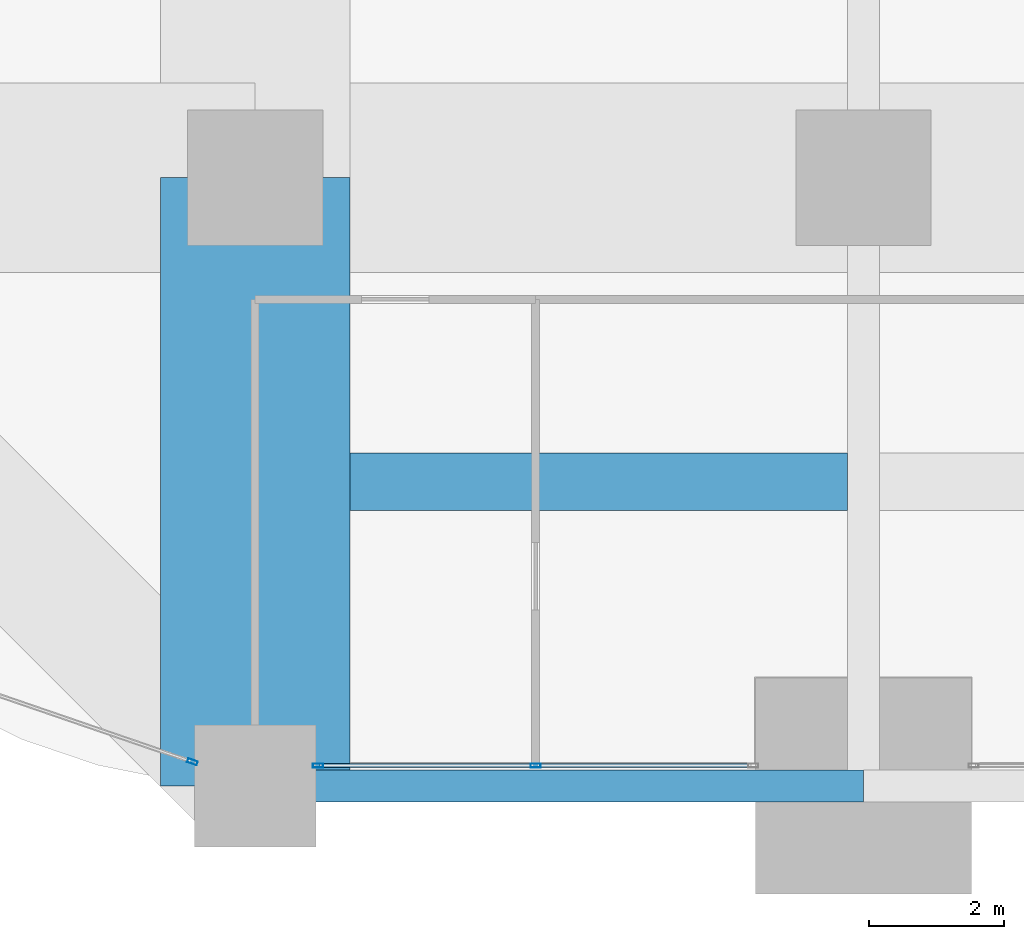
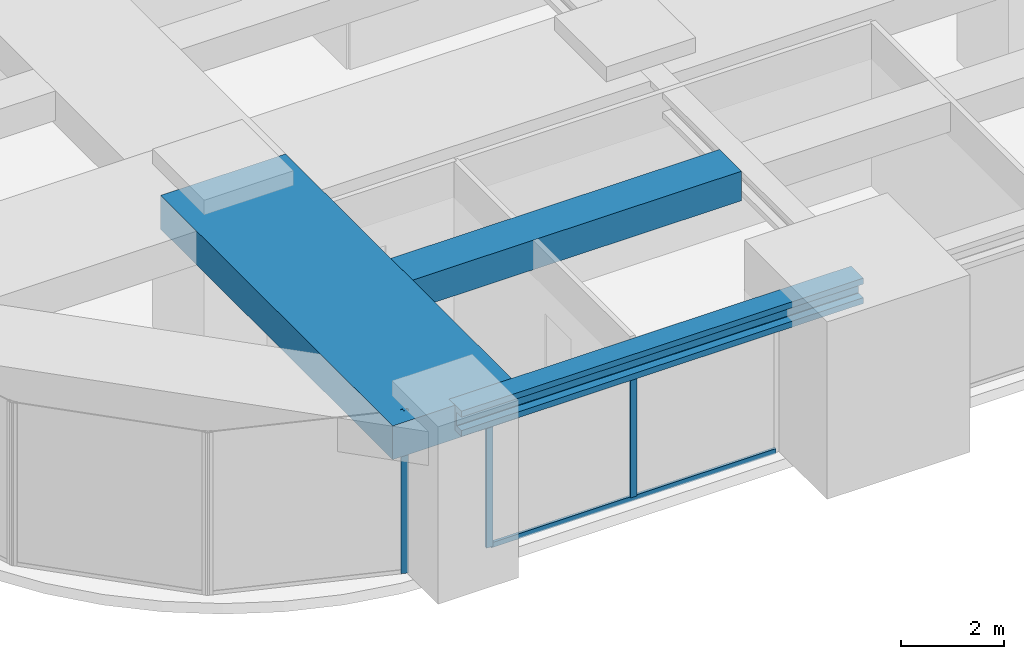
# One storey, part 4 of 45: 4 members, 3 beams, 2 elements without a shape of their own.
"""IFC4 building model written with IfcOpenShell, lengths in metres."""

import ifcopenshell
import ifcopenshell.guid

model = None  # the IFC model being written
_history = None  # IfcOwnerHistory: only IFC2X3 demands one
_inside = {}  # id of a spatial element -> (the spatial element, [elements in it])
_under = {}  # id of a project, library or spatial element -> (it, [spatial elements below it])
_declared = {}  # id of a project -> (the project, [libraries it declares])
_typed = {}  # id of a type object -> (the type object, [elements of that type])
_made_of = {}  # id of a material, layer set ... -> (it, [elements and type objects made of it])


def new_model(schema):
    """Start an empty IFC model of exactly this schema.

    Asked for "IFC4X3", IfcOpenShell would pick the latest addendum, in which some entities
    have other attributes; the version numbers below select the first issue.
    IFC2X3 requires an IfcOwnerHistory on every rooted entity: one is made here for all.
    """
    global model, _history
    if schema == "IFC4X3":
        model = ifcopenshell.file(schema_version=(4, 3, 0, 0))
    else:
        model = ifcopenshell.file(schema=schema)
    _inside.clear()
    _under.clear()
    _declared.clear()
    _typed.clear()
    _made_of.clear()
    _history = None
    if model.schema == "IFC2X3":
        org = make("IfcOrganization", Name="unknown")
        user = make(
            "IfcPersonAndOrganization",
            ThePerson=make("IfcPerson", FamilyName="unknown"),
            TheOrganization=org,
        )
        app = make(
            "IfcApplication",
            ApplicationDeveloper=org,
            Version="unknown",
            ApplicationFullName="unknown",
            ApplicationIdentifier="unknown",
        )
        _history = make(
            "IfcOwnerHistory",
            OwningUser=user,
            OwningApplication=app,
            ChangeAction="ADDED",
            CreationDate=0,
        )
    return model


def make(cls, **values):
    """One entity of the class cls with the attributes given. An attribute that is None is left unset."""
    return model.create_entity(
        cls, **{name: value for name, value in values.items() if value is not None}
    )


def rooted(cls, **values):
    """An entity with a GlobalId (a new one), such as an element, a storey or a relation."""
    return make(cls, GlobalId=ifcopenshell.guid.new(), OwnerHistory=_history, **values)


def si_unit(unit_type, name, prefix=None):
    """IfcSIUnit, for example si_unit("LENGTHUNIT", "METRE", prefix="MILLI")."""
    return make("IfcSIUnit", UnitType=unit_type, Prefix=prefix, Name=name)


def assignment(units):
    """IfcUnitAssignment: the units of a project."""
    return None if units is None else make("IfcUnitAssignment", Units=units)


def point(xyz):
    """IfcCartesianPoint."""
    return None if xyz is None else make("IfcCartesianPoint", Coordinates=xyz)


def direction(xyz):
    """IfcDirection."""
    return None if xyz is None else make("IfcDirection", DirectionRatios=xyz)


def frame(location, z_axis=None, x_axis=None):
    """IfcAxis2Placement3D, a coordinate frame: its origin and axes. An axis left out is left unset."""
    return make(
        "IfcAxis2Placement3D",
        Location=point(location),
        Axis=direction(z_axis),
        RefDirection=direction(x_axis),
    )


def frame_2d(location, x_axis=None):
    """IfcAxis2Placement2D, a coordinate frame in the plane: its origin and x axis."""
    return make(
        "IfcAxis2Placement2D", Location=point(location), RefDirection=direction(x_axis)
    )


def origin():
    """The frame at (0, 0, 0) with its axes left unset."""
    return frame((0.0, 0.0, 0.0))


def origin_2d():
    """The frame at (0, 0) in the plane with its x axis left unset."""
    return frame_2d((0.0, 0.0))


def place(relative_to, where):
    """IfcLocalPlacement: puts the frame where relative to a parent placement (None: the world)."""
    return make(
        "IfcLocalPlacement", PlacementRelTo=relative_to, RelativePlacement=where
    )


def context(
    kind, dimensions, precision=None, world=None, true_north=None, identifier=None
):
    """IfcGeometricRepresentationContext, for example the 3D "Model" context."""
    return make(
        "IfcGeometricRepresentationContext",
        ContextIdentifier=identifier,
        ContextType=kind,
        CoordinateSpaceDimension=dimensions,
        Precision=precision,
        WorldCoordinateSystem=world,
        TrueNorth=true_north,
    )


def subcontext(parent, identifier, kind, view, scale=None):
    """IfcGeometricRepresentationSubContext, for example "Body" below "Model"."""
    return make(
        "IfcGeometricRepresentationSubContext",
        ContextIdentifier=identifier,
        ContextType=kind,
        ParentContext=parent,
        TargetScale=scale,
        TargetView=view,
    )


def project(units=None, contexts=None):
    """IfcProject with its units and contexts."""
    return rooted(
        "IfcProject",
        Name="project",
        RepresentationContexts=contexts,
        UnitsInContext=assignment(units),
    )


def spatial(cls, under=None, at=None, **own):
    """A site, building, storey or space (cls), placed at a placement, below another one or the project."""
    s = rooted(cls, ObjectPlacement=at, **own)
    if under is not None:
        _under.setdefault(under.id(), (under, []))[1].append(s)
    return s


def profile(cls, at=None, kind="AREA", **sizes):
    """A parametric profile (cls). Its sizes go by their IFC names, for example OverallWidth=200.0."""
    return make(cls, ProfileType=kind, Position=at, **sizes)


def rectangle(**sizes):
    """IfcRectangleProfileDef."""
    return profile("IfcRectangleProfileDef", **sizes)


def hollow_rectangle(**sizes):
    """IfcRectangleHollowProfileDef."""
    return profile("IfcRectangleHollowProfileDef", **sizes)


def i_section(**sizes):
    """IfcIShapeProfileDef."""
    return profile("IfcIShapeProfileDef", **sizes)


def extrude(swept, where, along, depth):
    """IfcExtrudedAreaSolid: the profile swept, set in the frame where, extruded along a direction by depth."""
    return make(
        "IfcExtrudedAreaSolid",
        SweptArea=swept,
        Position=where,
        ExtrudedDirection=direction(along),
        Depth=depth,
    )


def shape(context_of_items, identifier, shape_type, items):
    """IfcShapeRepresentation: the items that make up one representation, for example the "Body"."""
    return make(
        "IfcShapeRepresentation",
        ContextOfItems=context_of_items,
        RepresentationIdentifier=identifier,
        RepresentationType=shape_type,
        Items=items,
    )


def material(Name=None, Category=None):
    """IfcMaterial."""
    return make("IfcMaterial", Name=Name, Category=Category)


def material_profile(
    of_material, cross_section, Name=None, Category=None, Priority=None
):
    """IfcMaterialProfile: a cross section and its material."""
    return make(
        "IfcMaterialProfile",
        Name=Name,
        Material=of_material,
        Profile=cross_section,
        Priority=Priority,
        Category=Category,
    )


def profile_set(profiles, Name=None, composite=None):
    """IfcMaterialProfileSet."""
    return make(
        "IfcMaterialProfileSet",
        Name=Name,
        MaterialProfiles=profiles,
        CompositeProfile=composite,
    )


def made_of(thing, what):
    """Note that an element or type object is made of a material, layer set ...; save() writes the relation."""
    if what is not None:
        _made_of.setdefault(what.id(), (what, []))[1].append(thing)
    return thing


def type_object(cls, material=None, **own):
    """A type object (cls), such as IfcWallType, which elements share."""
    return made_of(rooted(cls, **own), material)


def element(
    cls,
    number,
    at=None,
    inside=None,
    cuts=None,
    type_object=None,
    material=None,
    context=None,
    identifier="Body",
    shape_type=None,
    held_by="IfcProductDefinitionShape",
    body=None,
    shapes=None,
    **own,
):
    """One element of the class cls, such as IfcWall. Its Tag is "e" and its number.

    at: its placement. inside: the storey or other place that contains it. cuts: it is an
    opening in that element (IfcRelVoidsElement). A single representation is given by context,
    identifier, shape_type and body (its items); several are given by shapes. held_by: the class
    of the entity that holds the representations. save() writes the other relations.
    """
    e = rooted(cls, Tag="e%d" % number, ObjectPlacement=at, **own)
    if body is not None:
        shapes = [shape(context, identifier, shape_type, body)]
    if shapes is not None:
        e.Representation = make(held_by, Representations=shapes)
    if inside is not None:
        _inside.setdefault(inside.id(), (inside, []))[1].append(e)
    if cuts is not None:
        rooted(
            "IfcRelVoidsElement", RelatingBuildingElement=cuts, RelatedOpeningElement=e
        )
    if type_object is not None:
        _typed.setdefault(type_object.id(), (type_object, []))[1].append(e)
    return made_of(e, material)


def aggregate(whole, parts):
    """IfcRelAggregates: a whole, such as a stair, and the parts it consists of."""
    return rooted("IfcRelAggregates", RelatingObject=whole, RelatedObjects=parts)


def save(model, path):
    """Write the relations noted so far, then the file.

    IfcRelAggregates (storeys below a building ...), IfcRelContainedInSpatialStructure (elements
    in a storey), IfcRelDefinesByType, IfcRelAssociatesMaterial and IfcRelDeclares: one each for
    every whole, place, type object, material and project.
    """
    for whole, parts in _under.values():
        aggregate(whole, parts)
    for where, things in _inside.values():
        rooted(
            "IfcRelContainedInSpatialStructure",
            RelatedElements=things,
            RelatingStructure=where,
        )
    for kind, things in _typed.values():
        rooted("IfcRelDefinesByType", RelatedObjects=things, RelatingType=kind)
    for what, things in _made_of.values():
        rooted("IfcRelAssociatesMaterial", RelatedObjects=things, RelatingMaterial=what)
    for by, libraries in _declared.values():
        rooted("IfcRelDeclares", RelatingContext=by, RelatedDefinitions=libraries)
    model.write(path)


model = new_model("IFC4")

# Units and contexts
model_context = context("Model", 3, precision=1e-05, world=origin(), true_north=direction((0.0, 1.0)))
body_context = subcontext(model_context, "Body", "Model", "MODEL_VIEW")
ifc_project = project(units=[si_unit("LENGTHUNIT", "METRE"), si_unit("AREAUNIT", "SQUARE_METRE"), si_unit("VOLUMEUNIT", "CUBIC_METRE"), si_unit("PLANEANGLEUNIT", "RADIAN"), si_unit("MASSUNIT", "GRAM", prefix="KILO")], contexts=[model_context])

# Site, building, storey
site_placement = place(None, origin())
site = spatial("IfcSite", under=ifc_project, at=site_placement, CompositionType="ELEMENT")
building_placement = place(site_placement, origin())
building = spatial("IfcBuilding", under=site, at=building_placement, Name="Zorevar Civic Tower", CompositionType="ELEMENT")
storey_placement = place(building_placement, frame((0.0, 0.0, 153.0)))
storey = spatial("IfcBuildingStorey", under=building, at=storey_placement, Name="L37", CompositionType="ELEMENT", Elevation=153.0)

# Beams
ifc_material_1 = material(Name="Concrete C50/60", Category="concrete")
ifc_material_profile_1 = material_profile(ifc_material_1, rectangle(XDim=2.800048828125, YDim=0.800048828125, at=origin_2d()), Name="RC 2800x800")
ifc_profile_set_1 = profile_set([ifc_material_profile_1], Name="Concrete C50/60")
beam_type_1 = type_object("IfcBeamType", Name="Beam RC 2800x800", PredefinedType="BEAM", material=ifc_profile_set_1)
beam_1_placement = place(storey_placement, frame((9.0, 0.0, 3.449951171875), z_axis=(0.0, 1.0, 0.0), x_axis=(-1.0, 0.0, 0.0)))
element("IfcBeam", 1, at=beam_1_placement, inside=storey, type_object=beam_type_1, Name="Girder L38", PredefinedType="BEAM", context=body_context, shape_type="SweptSolid", body=[
    extrude(rectangle(XDim=2.800048828125, YDim=0.800048828125, at=origin_2d()), origin(), (0.0, 0.0, 1.0), 9.0),
])
ifc_material_2 = material(Name="Concrete C50/60", Category="concrete")
ifc_material_profile_2 = material_profile(ifc_material_2, rectangle(XDim=0.85009765625, YDim=0.699951171875, at=origin_2d()), Name="RC 850x700")
ifc_profile_set_2 = profile_set([ifc_material_profile_2], Name="Concrete C50/60")
beam_type_2 = type_object("IfcBeamType", Name="Beam RC 850x700", PredefinedType="BEAM", material=ifc_profile_set_2)
beam_2_placement = place(storey_placement, frame((10.39990234375, 4.5, 3.5), z_axis=(1.0, 0.0, 0.0), x_axis=(0.0, 1.0, 0.0)))
element("IfcBeam", 2, at=beam_2_placement, inside=storey, type_object=beam_type_2, Name="Secondary beam L38", PredefinedType="BEAM", context=body_context, shape_type="SweptSolid", body=[
    extrude(rectangle(XDim=0.85009765625, YDim=0.699951171875, at=origin_2d()), origin(), (0.0, 0.0, 1.0), 7.362060546875),
])
ifc_material_3 = material(Name="Steel S460M (HISTAR 460)", Category="steel")
ifc_material_profile_3 = material_profile(ifc_material_3, i_section(OverallWidth=0.47607421875, OverallDepth=0.60009765625, WebThickness=0.10009765625, FlangeThickness=0.139892578125, FilletRadius=0.014892578125, at=origin_2d()), Name="HD 400x1299")
ifc_profile_set_3 = profile_set([ifc_material_profile_3], Name="Steel S460M (HISTAR 460)")
beam_type_3 = type_object("IfcBeamType", Name="Belt chord HD 400x1299", PredefinedType="BEAM", material=ifc_profile_set_3)
beam_3_placement = place(storey_placement, frame((9.0, 0.0, 3.550048828125), z_axis=(1.0, 0.0, 0.0), x_axis=(0.0, 1.0, 0.0)))
element("IfcBeam", 3, at=beam_3_placement, inside=storey, type_object=beam_type_3, Name="Belt chord L38", PredefinedType="BEAM", context=body_context, shape_type="SweptSolid", body=[
    extrude(i_section(OverallWidth=0.47607421875, OverallDepth=0.60009765625, WebThickness=0.10009765625, FlangeThickness=0.139892578125, FilletRadius=0.014892578125, at=origin_2d()), origin(), (0.0, 0.0, 1.0), 9.0),
])

# Curtain wall, members
ifc_material_4 = material(Name="Dark grey solar-control glass in black aluminium frame", Category="aluminium")
curtain_wall_type = type_object("IfcCurtainWallType", Name="Curtain wall CW3 mid zone", PredefinedType="NOTDEFINED", material=ifc_material_4)
curtain_wall_1_placement = place(storey_placement, origin())
curtain_wall_1 = element("IfcCurtainWall", 4, at=curtain_wall_1_placement, inside=storey, type_object=curtain_wall_type, Name="CW3 L37", PredefinedType="NOTDEFINED")
ifc_material_5 = material(Name="Aluminium, black anodised", Category="aluminium")
ifc_material_profile_4 = material_profile(ifc_material_5, hollow_rectangle(XDim=0.06005859375, YDim=0.14990234375, WallThickness=0.00390625, at=origin_2d()), Name="AL 150x60x4")
ifc_profile_set_4 = profile_set([ifc_material_profile_4], Name="Aluminium, black anodised")
member_type_1 = type_object("IfcMemberType", Name="CW3 mullion AL 150x60x4", PredefinedType="MULLION", material=ifc_profile_set_4)
member_1_placement = place(storey_placement, frame((9.929931640625, 0.300048828125, 0.0), z_axis=(0.0, 0.0, 1.0), x_axis=(0.0, 1.0, 0.0)))
member_1 = element("IfcMember", 5, at=member_1_placement, type_object=member_type_1, Name="CW3 mullion 1", PredefinedType="MULLION", context=body_context, shape_type="SweptSolid", body=[
    extrude(hollow_rectangle(XDim=0.06005859375, YDim=0.14990234375, WallThickness=0.00390625, at=origin_2d()), origin(), (0.0, 0.0, 1.0), 3.050048828125),
])
member_2_placement = place(storey_placement, frame((13.14990234375, 0.300048828125, 0.06005859375), z_axis=(0.0, 0.0, 1.0), x_axis=(0.0, 1.0, 0.0)))
member_2 = element("IfcMember", 6, at=member_2_placement, type_object=member_type_1, Name="CW3 mullion 2", PredefinedType="MULLION", context=body_context, shape_type="SweptSolid", body=[
    extrude(hollow_rectangle(XDim=0.06005859375, YDim=0.14990234375, WallThickness=0.00390625, at=origin_2d()), origin(), (0.0, 0.0, 1.0), 2.989990234375),
])

# Curtain wall, member
curtain_wall_2_placement = place(storey_placement, origin())
curtain_wall_2 = element("IfcCurtainWall", 7, at=curtain_wall_2_placement, inside=storey, type_object=curtain_wall_type, Name="CW3 L37", PredefinedType="NOTDEFINED")
member_3_placement = place(storey_placement, frame((8.071533203125, 0.3564453125, 0.0), z_axis=(0.0, 0.0, 1.0), x_axis=(0.324878466857, 0.945755772794, 0.0)))
member_3 = element("IfcMember", 8, at=member_3_placement, type_object=member_type_1, Name="CW3 mullion 2", PredefinedType="MULLION", context=body_context, shape_type="SweptSolid", body=[
    extrude(hollow_rectangle(XDim=0.06005859375, YDim=0.14990234375, WallThickness=0.00390625, at=origin_2d()), origin(), (0.0, 0.0, 1.0), 3.85009765625),
])
aggregate(curtain_wall_2, [member_3])

# Member
ifc_material_6 = material(Name="Aluminium, black anodised", Category="aluminium")
ifc_material_profile_5 = material_profile(ifc_material_6, hollow_rectangle(XDim=0.06005859375, YDim=0.1201171875, WallThickness=0.0029296875, at=origin_2d()), Name="AL 120x60x3")
ifc_profile_set_5 = profile_set([ifc_material_profile_5], Name="Aluminium, black anodised")
member_type_2 = type_object("IfcMemberType", Name="CW3 transom AL 120x60x3", PredefinedType="USERDEFINED", material=ifc_profile_set_5)
member_4_placement = place(storey_placement, frame((9.9599609375, 0.300048828125, 0.030029296875), z_axis=(1.0, 0.0, 0.0), x_axis=(0.0, 1.0, 0.0)))
member_4 = element("IfcMember", 9, at=member_4_placement, type_object=member_type_2, Name="CW3 sill transom", ObjectType="TRANSOM", PredefinedType="USERDEFINED", context=body_context, shape_type="SweptSolid", body=[
    extrude(hollow_rectangle(XDim=0.06005859375, YDim=0.1201171875, WallThickness=0.0029296875, at=origin_2d()), origin(), (0.0, 0.0, 1.0), 6.380126953125),
])

aggregate(curtain_wall_1, [member_1, member_2, member_4])

save(model, "model.ifc")
